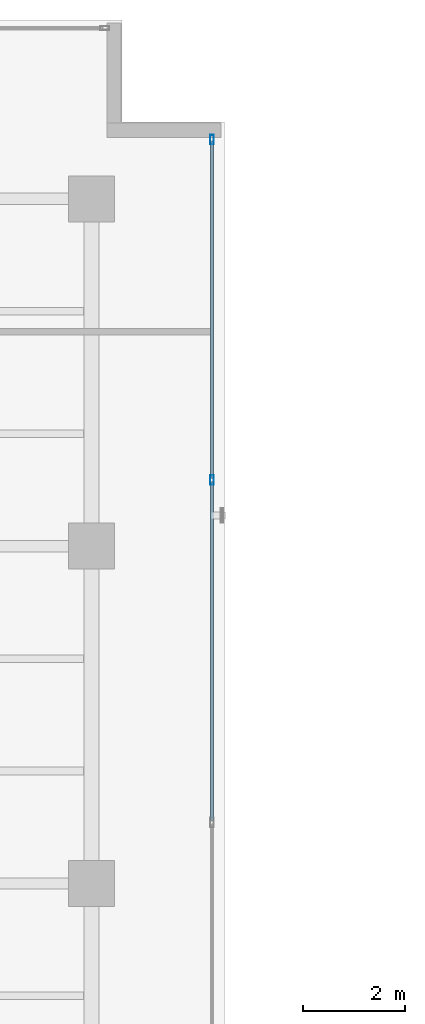
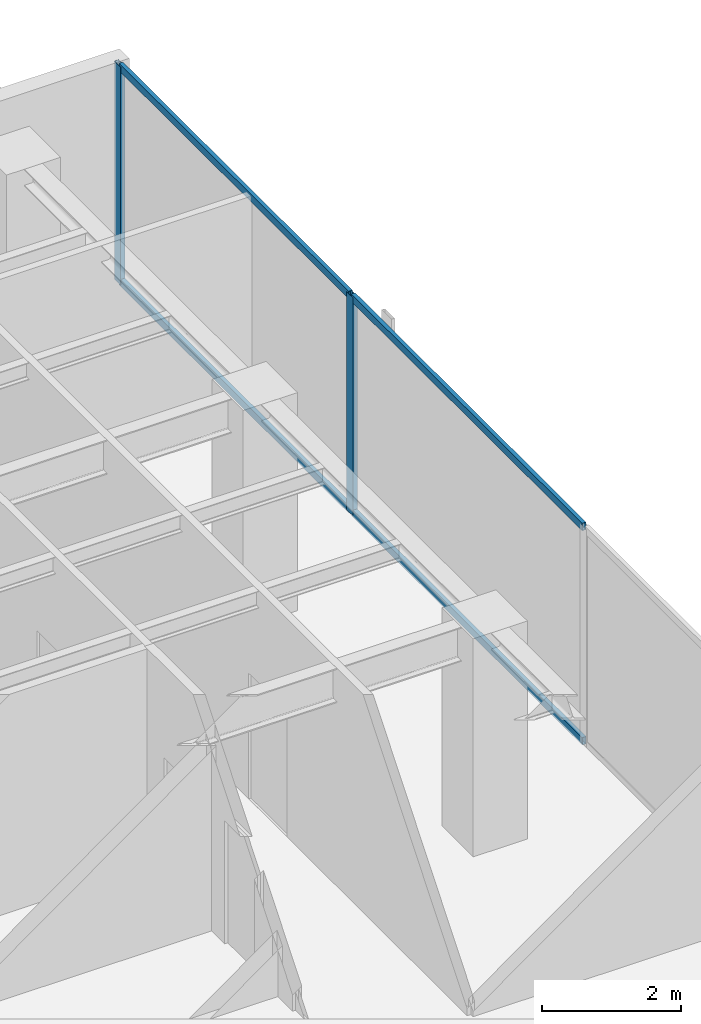
# One storey, part 23 of 32: 6 members, 1 element without a shape of its own.
"""IFC4 building model written with IfcOpenShell, lengths in metres."""

from ifc_helpers import new_model, si_unit, direction, frame, origin, origin_with_axes, origin_2d, place, context, subcontext, project, spatial, hollow_rectangle, extrude, source, transform, mapped, material, layer, layer_set, material_profile, profile_set, type_object, element, aggregate, save


model = new_model("IFC4")

# Units and contexts
model_context = context("Model", 3, precision=1e-05, world=origin(), true_north=direction((0.0, 1.0)))
body_context = subcontext(model_context, "Body", "Model", "MODEL_VIEW")
ifc_project = project(units=[si_unit("LENGTHUNIT", "METRE"), si_unit("AREAUNIT", "SQUARE_METRE"), si_unit("VOLUMEUNIT", "CUBIC_METRE"), si_unit("PLANEANGLEUNIT", "RADIAN"), si_unit("MASSUNIT", "GRAM", prefix="KILO")], contexts=[model_context])

# Site, building, storey
site_placement = place(None, origin())
site = spatial("IfcSite", under=ifc_project, at=site_placement, CompositionType="ELEMENT")
building_placement = place(site_placement, origin())
building = spatial("IfcBuilding", under=site, at=building_placement, Name="Kolvaren Waterfront Exchange", CompositionType="ELEMENT")
storey_placement = place(building_placement, frame((0.0, 0.0, 352.0)))
storey = spatial("IfcBuildingStorey", under=building, at=storey_placement, Name="L90", CompositionType="ELEMENT", Elevation=352.0)

# Curtain wall, members
ifc_material = material(Name="Anodised bronze aluminium 6063-T6", Category="aluminium")
ifc_layer = layer(ifc_material, 0.219970703125, Name="Anodised bronze aluminium 6063-T6")
ifc_layer_set = layer_set([ifc_layer], Name="Anodised bronze aluminium 6063-T6")
curtain_wall_type = type_object("IfcCurtainWallType", Name="ARC-CW-SYS5", PredefinedType="USERDEFINED", material=ifc_layer_set)
curtain_wall_placement = place(storey_placement, origin())
curtain_wall = element("IfcCurtainWall", 1, at=curtain_wall_placement, inside=storey, type_object=curtain_wall_type, Name="L90 stick curtain wall CW5 (CW-L90-NE)", ObjectType="STICK CURTAIN WALL", PredefinedType="USERDEFINED")
ifc_material_profile_1 = material_profile(ifc_material, hollow_rectangle(XDim=0.06494140625, YDim=0.1298828125, WallThickness=0.00390625, at=origin_2d()), Name="ALU-TRN-130x65x4")
ifc_profile_set_1 = profile_set([ifc_material_profile_1], Name="Anodised bronze aluminium 6063-T6")
member_type_1 = type_object("IfcMemberType", Name="ARC-CWT-130", PredefinedType="USERDEFINED", material=ifc_profile_set_1)
shared_shape_1 = source(origin_with_axes(), body_context, "Body", "SweptSolid", [
    extrude(hollow_rectangle(XDim=0.06494140625, YDim=0.1298828125, WallThickness=0.00390625, at=origin_2d()), origin(), (0.0, 0.0, 1.0), 6.5908203125),
])
member_1_placement = place(storey_placement, frame((21.159912109375, 39.13427734375, 0.032470703125), z_axis=(0.0, 1.0, 0.0), x_axis=(-1.0, 0.0, 0.0)))
member_1 = element("IfcMember", 2, at=member_1_placement, type_object=member_type_1, Name="CW5 transom 3.1", ObjectType="TRANSOM", PredefinedType="USERDEFINED", context=body_context, shape_type="MappedRepresentation", body=[
    mapped(shared_shape_1, transform((0.0, 0.0, 0.0), x_axis=(1.0, 0.0, 0.0), y_axis=(0.0, 1.0, 0.0), z_axis=(0.0, 0.0, 1.0), scale=1.0)),
])
member_2_placement = place(storey_placement, frame((21.159912109375, 39.13427734375, 3.78759765625), z_axis=(0.0, 1.0, 0.0), x_axis=(-1.0, 0.0, 0.0)))
member_2 = element("IfcMember", 3, at=member_2_placement, type_object=member_type_1, Name="CW5 transom 3.2", ObjectType="TRANSOM", PredefinedType="USERDEFINED", context=body_context, shape_type="MappedRepresentation", body=[
    mapped(shared_shape_1, transform((0.0, 0.0, 0.0), x_axis=(1.0, 0.0, 0.0), y_axis=(0.0, 1.0, 0.0), z_axis=(0.0, 0.0, 1.0), scale=1.0)),
])
shared_shape_2 = source(origin_with_axes(), body_context, "Body", "SweptSolid", [
    extrude(hollow_rectangle(XDim=0.06494140625, YDim=0.1298828125, WallThickness=0.00390625, at=origin_2d()), origin(), (0.0, 0.0, 1.0), 6.628173828125),
])
member_3_placement = place(storey_placement, frame((21.159912109375, 32.430908203125, 0.032470703125), z_axis=(0.0, 1.0, 0.0), x_axis=(-1.0, 0.0, 0.0)))
member_3 = element("IfcMember", 4, at=member_3_placement, type_object=member_type_1, Name="CW5 transom 2.1", ObjectType="TRANSOM", PredefinedType="USERDEFINED", context=body_context, shape_type="MappedRepresentation", body=[
    mapped(shared_shape_2, transform((0.0, 0.0, 0.0), x_axis=(1.0, 0.0, 0.0), y_axis=(0.0, 1.0, 0.0), z_axis=(0.0, 0.0, 1.0), scale=1.0)),
])
member_4_placement = place(storey_placement, frame((21.159912109375, 32.430908203125, 3.78759765625), z_axis=(0.0, 1.0, 0.0), x_axis=(-1.0, 0.0, 0.0)))
member_4 = element("IfcMember", 5, at=member_4_placement, type_object=member_type_1, Name="CW5 transom 2.2", ObjectType="TRANSOM", PredefinedType="USERDEFINED", context=body_context, shape_type="MappedRepresentation", body=[
    mapped(shared_shape_2, transform((0.0, 0.0, 0.0), x_axis=(1.0, 0.0, 0.0), y_axis=(0.0, 1.0, 0.0), z_axis=(0.0, 0.0, 1.0), scale=1.0)),
])
ifc_material_profile_2 = material_profile(ifc_material, hollow_rectangle(XDim=0.074951171875, YDim=0.179931640625, WallThickness=0.00439453125, at=origin_2d()), Name="ALU-MUL-180x75x4.5")
ifc_profile_set_2 = profile_set([ifc_material_profile_2], Name="Anodised bronze aluminium 6063-T6")
member_type_2 = type_object("IfcMemberType", Name="ARC-CWM-180", PredefinedType="MULLION", material=ifc_profile_set_2)
shared_shape_3 = source(origin_with_axes(), body_context, "Body", "SweptSolid", [
    extrude(hollow_rectangle(XDim=0.074951171875, YDim=0.179931640625, WallThickness=0.00439453125, at=origin_2d()), origin(), (0.0, 0.0, 1.0), 3.820068359375),
])
member_5_placement = place(storey_placement, frame((21.159912109375, 39.0966796875, 0.0), z_axis=(0.0, 0.0, 1.0), x_axis=(-1.0, 0.0, 0.0)))
member_5 = element("IfcMember", 6, at=member_5_placement, type_object=member_type_2, Name="CW5 mullion 3", PredefinedType="MULLION", context=body_context, shape_type="MappedRepresentation", body=[
    mapped(shared_shape_3, transform((0.0, 0.0, 0.0), x_axis=(1.0, 0.0, 0.0), y_axis=(0.0, 1.0, 0.0), z_axis=(0.0, 0.0, 1.0), scale=1.0)),
])
member_6_placement = place(storey_placement, frame((21.159912109375, 45.762451171875, 0.0), z_axis=(0.0, 0.0, 1.0), x_axis=(-1.0, 0.0, 0.0)))
member_6 = element("IfcMember", 7, at=member_6_placement, type_object=member_type_2, Name="CW5 mullion 4", PredefinedType="MULLION", context=body_context, shape_type="MappedRepresentation", body=[
    mapped(shared_shape_3, transform((0.0, 0.0, 0.0), x_axis=(1.0, 0.0, 0.0), y_axis=(0.0, 1.0, 0.0), z_axis=(0.0, 0.0, 1.0), scale=1.0)),
])
aggregate(curtain_wall, [member_5, member_6, member_3, member_4, member_1, member_2])

save(model, "model.ifc")
